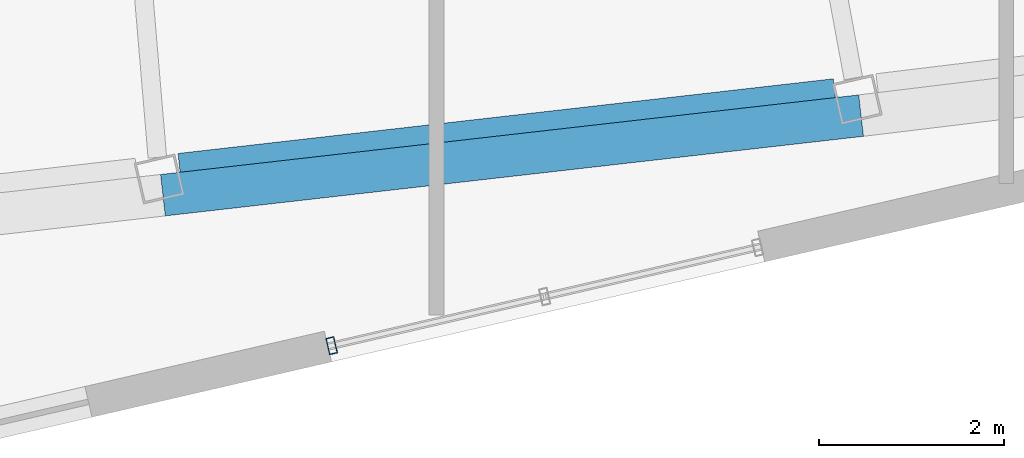
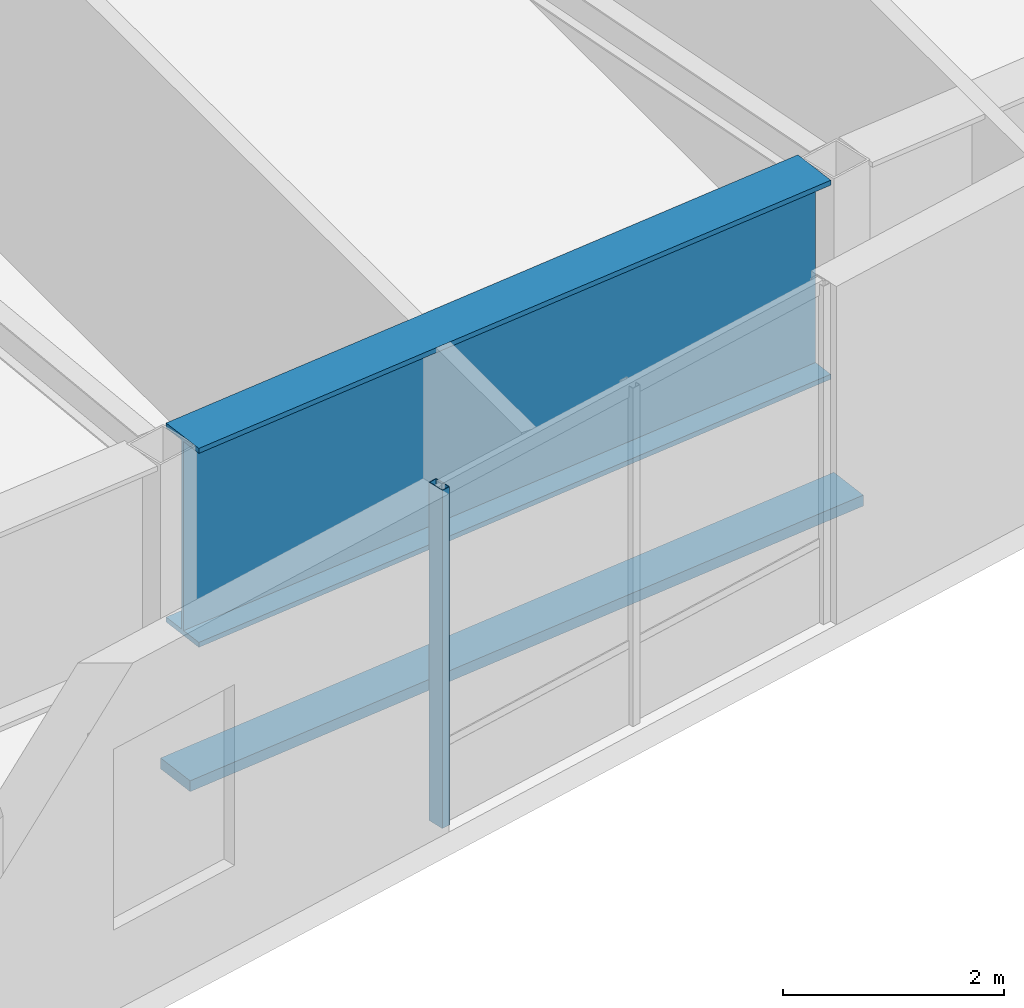
# One storey, part 5 of 23: 2 members, 1 beam, 1 element without a shape of its own.
"""IFC4 building model written with IfcOpenShell, lengths in metres."""

from ifc_helpers import new_model, si_unit, direction, frame, origin, origin_2d, place, context, subcontext, project, spatial, rectangle, hollow_rectangle, i_section, extrude, material, layer, layer_set, material_profile, profile_set, type_object, element, aggregate, save


model = new_model("IFC4")

# Units and contexts
model_context = context("Model", 3, precision=1e-05, world=origin(), true_north=direction((0.0, 1.0)))
body_context = subcontext(model_context, "Body", "Model", "MODEL_VIEW")
ifc_project = project(units=[si_unit("LENGTHUNIT", "METRE"), si_unit("AREAUNIT", "SQUARE_METRE"), si_unit("VOLUMEUNIT", "CUBIC_METRE"), si_unit("PLANEANGLEUNIT", "RADIAN"), si_unit("MASSUNIT", "GRAM", prefix="KILO")], contexts=[model_context])

# Site, building, storey
site_placement = place(None, origin())
site = spatial("IfcSite", under=ifc_project, at=site_placement, CompositionType="ELEMENT")
building_placement = place(site_placement, origin())
building = spatial("IfcBuilding", under=site, at=building_placement, Name="Tavrogorsk Clinical Tower", CompositionType="ELEMENT")
storey_placement = place(building_placement, frame((0.0, 0.0, 305.0)))
storey = spatial("IfcBuildingStorey", under=building, at=storey_placement, Name="L71", CompositionType="ELEMENT", Elevation=305.0)

# Member
ifc_material_1 = material(Name="Anodised aluminium alloy AW-6063", Category="aluminium")
ifc_material_profile_1 = material_profile(ifc_material_1, rectangle(XDim=0.449951171875, YDim=0.1201171875, at=origin_2d()), Name="ALU-SUNSHADE-450x120")
ifc_profile_set_1 = profile_set([ifc_material_profile_1], Name="Anodised aluminium alloy AW-6063")
member_type_1 = type_object("IfcMemberType", Name="ChicagoSunshade_450x120", PredefinedType="USERDEFINED", material=ifc_profile_set_1)
member_1_placement = place(storey_placement, frame((-8.75341796875, -24.343994140625, 0.179931640625), z_axis=(0.993568518474, 0.113232500178, 0.0), x_axis=(-0.113232500178, 0.993568518474, 0.0)))
element("IfcMember", 1, at=member_1_placement, inside=storey, type_object=member_type_1, Name="L71 South Aluminium Sunshade S3", ObjectType="SUNSHADE", PredefinedType="USERDEFINED", context=body_context, shape_type="SweptSolid", body=[
    extrude(rectangle(XDim=0.449951171875, YDim=0.1201171875, at=origin_2d()), origin(), (0.0, 0.0, 1.0), 7.585205078125),
])

# Curtain wall, member
ifc_material_2 = material(Name="Anodised aluminium and triple IGU glazing", Category="aluminium")
ifc_layer = layer(ifc_material_2, 0.179931640625)
ifc_layer_set = layer_set([ifc_layer], Name="Anodised aluminium and triple IGU glazing")
curtain_wall_type = type_object("IfcCurtainWallType", Name="CW3_SouthSlot", PredefinedType="NOTDEFINED", material=ifc_layer_set)
curtain_wall_placement = place(storey_placement, origin())
curtain_wall = element("IfcCurtainWall", 2, at=curtain_wall_placement, inside=storey, type_object=curtain_wall_type, Name="L71 Curtain Wall CW-L71-S-SLOT-1", PredefinedType="NOTDEFINED")
ifc_material_3 = material(Name="Anodised aluminium alloy AW-6060", Category="aluminium")
ifc_material_profile_2 = material_profile(ifc_material_3, hollow_rectangle(XDim=0.090087890625, YDim=0.179931640625, WallThickness=0.00634765625, at=origin_2d()), Name="RHS-180x90x6.3")
ifc_profile_set_2 = profile_set([ifc_material_profile_2], Name="Anodised aluminium alloy AW-6060")
member_type_2 = type_object("IfcMemberType", Name="CwMullion_180x90", PredefinedType="MULLION", material=ifc_profile_set_2)
member_2_placement = place(storey_placement, frame((-6.93212890625, -25.968994140625, 0.0), z_axis=(0.0, 0.0, 1.0), x_axis=(0.974370057377, 0.224951086434, 0.0)))
member_2 = element("IfcMember", 3, at=member_2_placement, type_object=member_type_2, Name="CW-L71-S-SLOT-1 Mullion 1", PredefinedType="MULLION", context=body_context, shape_type="SweptSolid", body=[
    extrude(hollow_rectangle(XDim=0.090087890625, YDim=0.179931640625, WallThickness=0.00634765625, at=origin_2d()), origin(), (0.0, 0.0, 1.0), 3.739990234375),
])
aggregate(curtain_wall, [member_2])

# Beam
ifc_material_4 = material(Name="Structural steel S440", Category="steel")
ifc_material_profile_3 = material_profile(ifc_material_4, i_section(OverallWidth=0.5, OverallDepth=2.199951171875, WebThickness=0.035888671875, FlangeThickness=0.054931640625, at=origin_2d()), Name="DK-2200x500x36x55")
ifc_profile_set_3 = profile_set([ifc_material_profile_3], Name="Structural steel S440")
beam_type = type_object("IfcBeamType", Name="TransferGirder_DK2200", PredefinedType="USERDEFINED", material=ifc_profile_set_3)
beam_placement = place(storey_placement, frame((-8.5625, -24.14208984375, 2.639892578125), z_axis=(0.993572073137, 0.113201305126, 0.0), x_axis=(-0.113201305126, 0.993572073137, 0.0)))
element("IfcBeam", 4, at=beam_placement, inside=storey, type_object=beam_type, Name="L71 Perimeter Spandrel S3-S4", ObjectType="GIRDER", PredefinedType="USERDEFINED", context=body_context, shape_type="SweptSolid", body=[
    extrude(i_section(OverallWidth=0.5, OverallDepth=2.199951171875, WebThickness=0.035888671875, FlangeThickness=0.054931640625, at=origin_2d()), origin(), (0.0, 0.0, 1.0), 7.119140625),
])

save(model, "model.ifc")
